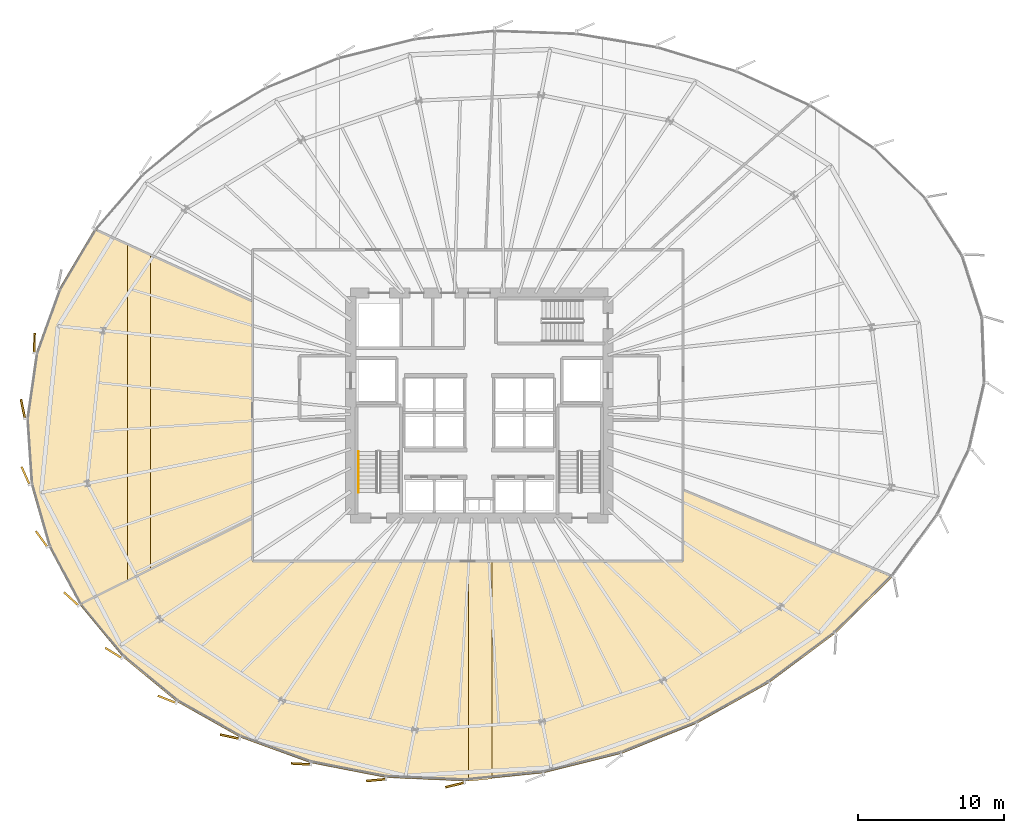
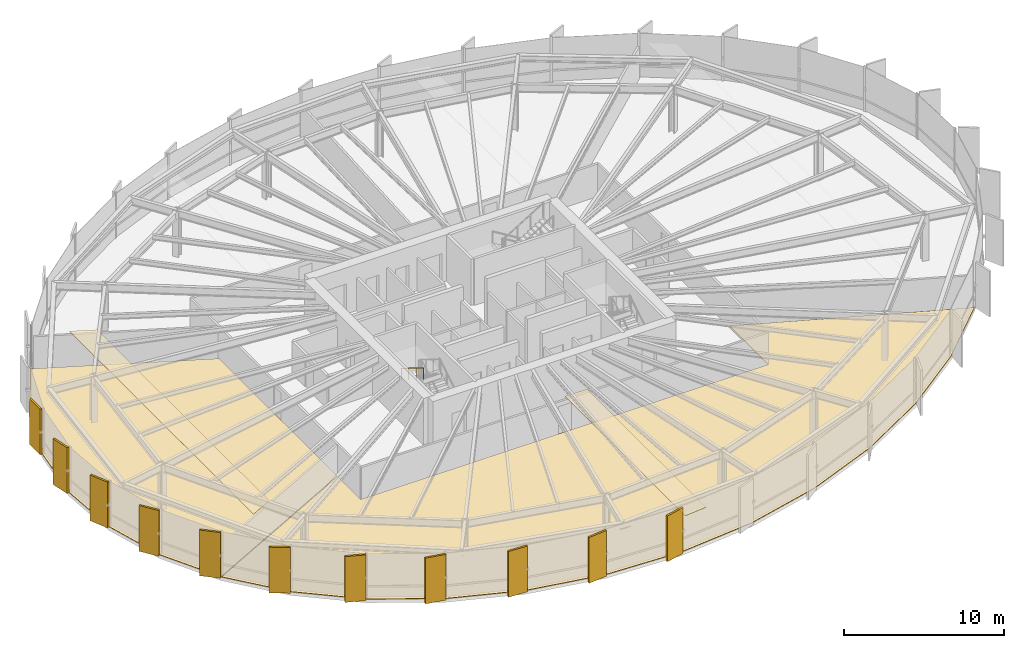
# One storey, part 32 of 35: 15 coverings, 1 railing.
"""IFC4 building model written with IfcOpenShell, lengths in metres."""

from ifc_helpers import new_model, si_unit, direction, frame, origin, origin_2d, place, context, subcontext, project, spatial, polyline, rectangle, circle, outline, extrude, source, transform, mapped, material, layer, layer_set, type_object, element, save


model = new_model("IFC4")

# Units and contexts
model_context = context("Model", 3, precision=1e-05, world=origin(), true_north=direction((0.0, 1.0)))
body_context = subcontext(model_context, "Body", "Model", "MODEL_VIEW")
ifc_project = project(units=[si_unit("LENGTHUNIT", "METRE"), si_unit("AREAUNIT", "SQUARE_METRE"), si_unit("VOLUMEUNIT", "CUBIC_METRE"), si_unit("PLANEANGLEUNIT", "RADIAN"), si_unit("MASSUNIT", "GRAM", prefix="KILO"), si_unit("THERMODYNAMICTEMPERATUREUNIT", "KELVIN")], contexts=[model_context])

# Site, building, storey
site_placement = place(None, origin())
site = spatial("IfcSite", under=ifc_project, at=site_placement, CompositionType="ELEMENT")
building_placement = place(site_placement, origin())
building = spatial("IfcBuilding", under=site, at=building_placement, Name="Kethvar Cultural Tower", CompositionType="ELEMENT")
storey_placement = place(building_placement, frame((0.0, 0.0, 71.39990234375)))
storey = spatial("IfcBuildingStorey", under=building, at=storey_placement, Name="L17", CompositionType="ELEMENT", Elevation=71.39990234375)

# Coverings
ifc_material_1 = material(Name="Acoustic Mineral Fibre Ceiling")
ifc_layer_1 = layer(ifc_material_1, 0.0400390625, Name="Acoustic Mineral Fibre Ceiling")
ifc_layer_set_1 = layer_set([ifc_layer_1], Name="Acoustic Mineral Fibre Ceiling (40 mm)")
covering_type_1 = type_object("IfcCoveringType", Name="CV-ACOUSTIC-CEIL", PredefinedType="CEILING", material=ifc_layer_set_1)
covering_1_placement = place(storey_placement, frame((0.0, 0.0, 2.670166015625)))
element("IfcCovering", 1, at=covering_1_placement, inside=storey, type_object=covering_type_1, Name="L17 Room 01 Acoustic Ceiling Panel", PredefinedType="CEILING", context=body_context, shape_type="SweptSolid", body=[
    extrude(outline(polyline([(46.070068359375, 2.086669921875), (46.070068359375, 17.159912109375), (47.66015625, 17.159912109375), (47.66015625, 2.248046875), (46.070068359375, 2.086669921875)])), origin(), (0.0, 0.0, 1.0), 0.0400390625),
])
covering_2_placement = place(storey_placement, frame((0.0, 0.0, 2.670166015625)))
element("IfcCovering", 2, at=covering_2_placement, inside=storey, type_object=covering_type_1, Name="L17 Room 05 Acoustic Ceiling Panel", PredefinedType="CEILING", context=body_context, shape_type="SweptSolid", body=[
    extrude(outline(polyline([(24.318115234375, 38.1259765625), (24.318115234375, 16.561767578125), (22.72802734375, 15.7685546875), (22.72802734375, 38.854736328125), (24.318115234375, 38.1259765625)])), origin(), (0.0, 0.0, 1.0), 0.0400390625),
])
ifc_material_2 = material(Name="Honed Warm Limestone", Category="masonry")
ifc_layer_2 = layer(ifc_material_2, 0.030029296875, Name="Honed Warm Limestone", Category="masonry")
ifc_layer_set_2 = layer_set([ifc_layer_2], Name="Honed Warm Limestone (30 mm)")
covering_type_2 = type_object("IfcCoveringType", Name="CV-STONE-FLOOR", PredefinedType="FLOORING", material=ifc_layer_set_2)
covering_3_placement = place(storey_placement, origin())
element("IfcCovering", 3, at=covering_3_placement, inside=storey, type_object=covering_type_2, Name="L17 Room 01 Floor Finish", PredefinedType="FLOORING", context=body_context, shape_type="SweptSolid", body=[
    extrude(outline(polyline([(75.0595703125, 16.0576171875), (71.14697265625, 12.19580078125), (66.617919921875, 8.81298828125), (61.681884765625, 6.04150390625), (56.500244140625, 3.967529296875), (51.18994140625, 2.646728515625), (45.793701171875, 2.098876953125), (40.428466796875, 2.33203125), (35.256591796875, 3.339111328125), (30.435791015625, 5.089599609375), (26.1123046875, 7.5302734375), (22.417724609375, 10.58642578125), (19.478759765625, 14.147705078125), (31.27001953125, 20.030029296875), (31.2880859375, 17.1201171875), (60.75390625, 17.120361328125), (60.77001953125, 21.984375), (75.0595703125, 16.0576171875)])), origin(), (0.0, 0.0, 1.0), 0.030029296875),
])
covering_4_placement = place(storey_placement, origin())
element("IfcCovering", 4, at=covering_4_placement, inside=storey, type_object=covering_type_2, Name="L17 Room 05 Floor Finish", PredefinedType="FLOORING", context=body_context, shape_type="SweptSolid", body=[
    extrude(outline(polyline([(17.3408203125, 18.158447265625), (16.112548828125, 22.444091796875), (15.81640625, 26.892578125), (16.461669921875, 31.36865234375), (18.0283203125, 35.73681640625), (20.4609375, 39.849609375), (31.27001953125, 34.895751953125), (31.27001953125, 20.07470703125), (19.455810546875, 14.180908203125), (17.3408203125, 18.158447265625)])), origin(), (0.0, 0.0, 1.0), 0.030029296875),
])

# Railing
ifc_material_3 = material(Name="Steel S355J2", Category="steel")
railing_type = type_object("IfcRailingType", Name="RL-STAIR-HANDRAIL", PredefinedType="HANDRAIL", material=ifc_material_3)
railing_placement = place(storey_placement, frame((38.5400390625, 24.64990234375, 2.07275390625)))
element("IfcRailing", 5, at=railing_placement, inside=storey, type_object=railing_type, Name="L17 ST-01 stair handrail 2", PredefinedType="HANDRAIL", context=body_context, shape_type="SweptSolid", body=[
    extrude(circle(Radius=0.02392578125, at=origin_2d()), frame((0.0, 0.0, 0.8759765625), z_axis=(0.0, -0.851069175582, 0.525053576669), x_axis=(1.0, 0.0, 0.0)), (0.0, 0.0, 1.0), 3.289794921875),
    extrude(circle(Radius=0.02099609375, at=origin_2d()), origin(), (0.0, 0.0, 1.0), 0.851806640625),
    extrude(circle(Radius=0.02099609375, at=origin_2d()), frame((0.0, -0.933349609375, 0.57568359375)), (0.0, 0.0, 1.0), 0.851806640625),
    extrude(circle(Radius=0.02099609375, at=origin_2d()), frame((0.0, -1.866455078125, 1.151611328125)), (0.0, 0.0, 1.0), 0.851806640625),
    extrude(circle(Radius=0.02099609375, at=origin_2d()), frame((0.0, -2.7998046875, 1.727294921875)), (0.0, 0.0, 1.0), 0.851806640625),
])

# Coverings
ifc_material_4 = material(Name="Extruded Architectural Terracotta", Category="masonry")
ifc_layer_3 = layer(ifc_material_4, 0.135009765625, Name="Extruded Architectural Terracotta", Category="masonry")
ifc_layer_set_3 = layer_set([ifc_layer_3], Name="Extruded Architectural Terracotta (135 mm)")
covering_type_3 = type_object("IfcCoveringType", Name="Terracotta Facade Fin FIN-01", PredefinedType="CLADDING", material=ifc_layer_set_3)
shared_shape = source(origin(), body_context, "Body", "SweptSolid", [
    extrude(rectangle(XDim=1.35009765625, YDim=0.135009765625, at=origin_2d()), origin(), (0.0, 0.0, 1.0), 3.5),
])
for number, where, z_axis, x_axis, name in (
    (6, (16.365234375, 32.06005859375, 0.02001953125), (0.0, 0.0, 1.0), (0.003490651415, 0.999993907658, 0.0), "L17 Vertical Terracotta Fin 3.5"),
    (7, (15.578369140625, 27.548828125, 0.02001953125), (0.0, 0.0, 1.0), (-0.204666893315, 0.978831682559, 0.0), "L17 Vertical Terracotta Fin 3.6"),
    (8, (15.753173828125, 22.99462890625, 0.02001953125), (0.0, 0.0, 1.0), (-0.406577193121, 0.913616432664, 0.0), "L17 Vertical Terracotta Fin 4.1"),
    (9, (16.85498046875, 18.659423828125, 0.02001953125), (0.0, 0.0, 1.0), (-0.587785252292, 0.809016994375, 0.0), "L17 Vertical Terracotta Fin 4.2"),
    (10, (18.8876953125, 14.55908203125, 0.02001953125), (0.0, 0.0, 1.0), (-0.737630973935, 0.675204077514, 0.0), "L17 Vertical Terracotta Fin 4.3"),
    (11, (21.777587890625, 10.864501953125, 0.02001953125), (0.0, 0.0, 1.0), (-0.851726934143, 0.52398590597, 0.0), "L17 Vertical Terracotta Fin 4.4"),
    (12, (25.433349609375, 7.69091796875, 0.02001953125), (0.0, 0.0, 1.0), (-0.930800856941, 0.365526694947, 0.0), "L17 Vertical Terracotta Fin 4.5"),
    (13, (29.73974609375, 5.13623046875, 0.02001953125), (0.0, 0.0, 1.0), (-0.978292512096, 0.207228764358, 0.0), "L17 Vertical Terracotta Fin 4.6"),
    (14, (34.603271484375, 3.268798828125, 0.02001953125), (0.0, 0.0, 1.0), (-0.99861120522, 0.052684540515, 0.0), "L17 Vertical Terracotta Fin 5.1"),
    (15, (39.75048828125, 2.16748046875, 0.02001953125), (0.0, 0.0, 1.0), (-0.995379454967, -0.09601948047, 0.0), "L17 Vertical Terracotta Fin 5.2"),
    (16, (45.14697265625, 1.838134765625, 0.02001953125), (0.0, 0.0, 1.0), (-0.97113427991, -0.238533457579, 0.0), "L17 Vertical Terracotta Fin 5.3"),
):
    element("IfcCovering", number, at=place(storey_placement, frame(where, z_axis=z_axis, x_axis=x_axis)), inside=storey, type_object=covering_type_3, Name=name, PredefinedType="CLADDING", context=body_context, shape_type="MappedRepresentation", body=[
        mapped(shared_shape, transform((0.0, 0.0, 0.0), scale=1.0)),
    ])

save(model, "model.ifc")
